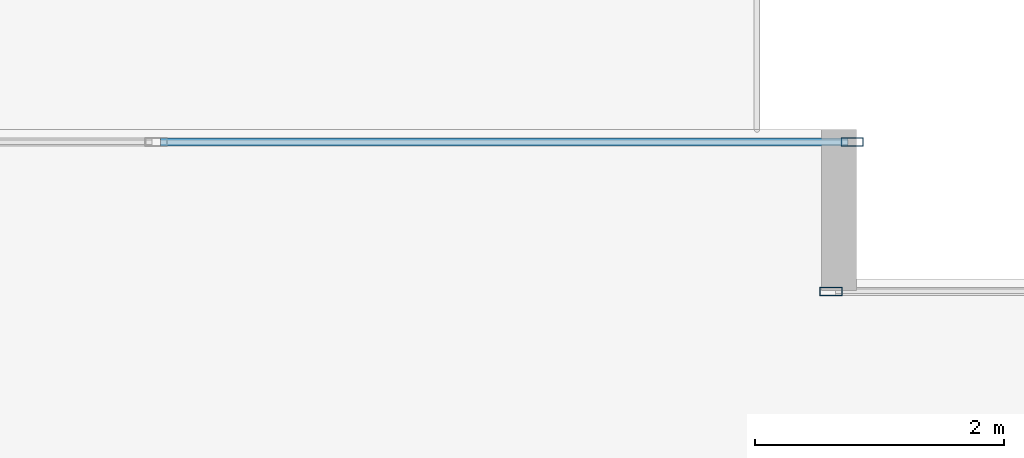
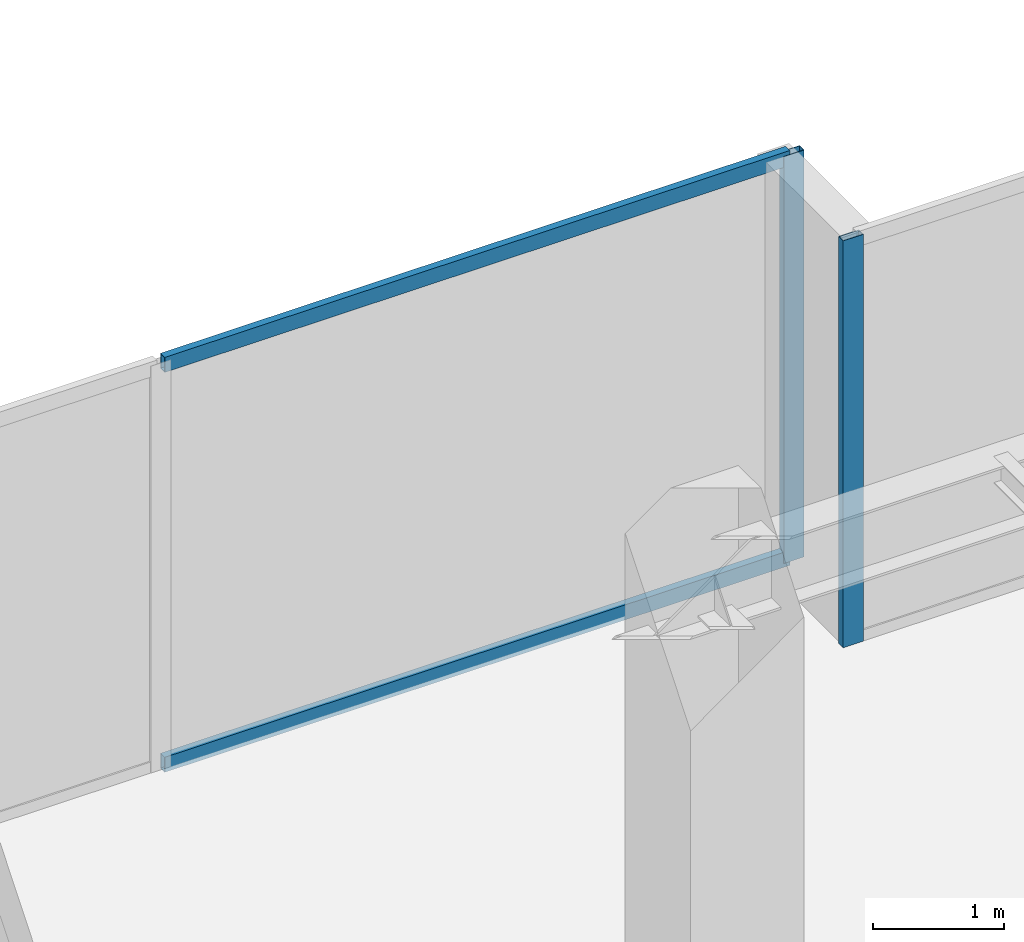
# One storey, part 17 of 34: 4 members, 2 elements without a shape of their own.
"""IFC4 building model written with IfcOpenShell, lengths in metres."""

import ifcopenshell
import ifcopenshell.guid

model = None  # the IFC model being written
_history = None  # IfcOwnerHistory: only IFC2X3 demands one
_inside = {}  # id of a spatial element -> (the spatial element, [elements in it])
_under = {}  # id of a project, library or spatial element -> (it, [spatial elements below it])
_declared = {}  # id of a project -> (the project, [libraries it declares])
_typed = {}  # id of a type object -> (the type object, [elements of that type])
_made_of = {}  # id of a material, layer set ... -> (it, [elements and type objects made of it])


def new_model(schema):
    """Start an empty IFC model of exactly this schema.

    Asked for "IFC4X3", IfcOpenShell would pick the latest addendum, in which some entities
    have other attributes; the version numbers below select the first issue.
    IFC2X3 requires an IfcOwnerHistory on every rooted entity: one is made here for all.
    """
    global model, _history
    if schema == "IFC4X3":
        model = ifcopenshell.file(schema_version=(4, 3, 0, 0))
    else:
        model = ifcopenshell.file(schema=schema)
    _inside.clear()
    _under.clear()
    _declared.clear()
    _typed.clear()
    _made_of.clear()
    _history = None
    if model.schema == "IFC2X3":
        org = make("IfcOrganization", Name="unknown")
        user = make(
            "IfcPersonAndOrganization",
            ThePerson=make("IfcPerson", FamilyName="unknown"),
            TheOrganization=org,
        )
        app = make(
            "IfcApplication",
            ApplicationDeveloper=org,
            Version="unknown",
            ApplicationFullName="unknown",
            ApplicationIdentifier="unknown",
        )
        _history = make(
            "IfcOwnerHistory",
            OwningUser=user,
            OwningApplication=app,
            ChangeAction="ADDED",
            CreationDate=0,
        )
    return model


def make(cls, **values):
    """One entity of the class cls with the attributes given. An attribute that is None is left unset."""
    return model.create_entity(
        cls, **{name: value for name, value in values.items() if value is not None}
    )


def rooted(cls, **values):
    """An entity with a GlobalId (a new one), such as an element, a storey or a relation."""
    return make(cls, GlobalId=ifcopenshell.guid.new(), OwnerHistory=_history, **values)


def si_unit(unit_type, name, prefix=None):
    """IfcSIUnit, for example si_unit("LENGTHUNIT", "METRE", prefix="MILLI")."""
    return make("IfcSIUnit", UnitType=unit_type, Prefix=prefix, Name=name)


def assignment(units):
    """IfcUnitAssignment: the units of a project."""
    return None if units is None else make("IfcUnitAssignment", Units=units)


def point(xyz):
    """IfcCartesianPoint."""
    return None if xyz is None else make("IfcCartesianPoint", Coordinates=xyz)


def direction(xyz):
    """IfcDirection."""
    return None if xyz is None else make("IfcDirection", DirectionRatios=xyz)


def frame(location, z_axis=None, x_axis=None):
    """IfcAxis2Placement3D, a coordinate frame: its origin and axes. An axis left out is left unset."""
    return make(
        "IfcAxis2Placement3D",
        Location=point(location),
        Axis=direction(z_axis),
        RefDirection=direction(x_axis),
    )


def frame_2d(location, x_axis=None):
    """IfcAxis2Placement2D, a coordinate frame in the plane: its origin and x axis."""
    return make(
        "IfcAxis2Placement2D", Location=point(location), RefDirection=direction(x_axis)
    )


def origin():
    """The frame at (0, 0, 0) with its axes left unset."""
    return frame((0.0, 0.0, 0.0))


def origin_2d():
    """The frame at (0, 0) in the plane with its x axis left unset."""
    return frame_2d((0.0, 0.0))


def place(relative_to, where):
    """IfcLocalPlacement: puts the frame where relative to a parent placement (None: the world)."""
    return make(
        "IfcLocalPlacement", PlacementRelTo=relative_to, RelativePlacement=where
    )


def context(
    kind, dimensions, precision=None, world=None, true_north=None, identifier=None
):
    """IfcGeometricRepresentationContext, for example the 3D "Model" context."""
    return make(
        "IfcGeometricRepresentationContext",
        ContextIdentifier=identifier,
        ContextType=kind,
        CoordinateSpaceDimension=dimensions,
        Precision=precision,
        WorldCoordinateSystem=world,
        TrueNorth=true_north,
    )


def subcontext(parent, identifier, kind, view, scale=None):
    """IfcGeometricRepresentationSubContext, for example "Body" below "Model"."""
    return make(
        "IfcGeometricRepresentationSubContext",
        ContextIdentifier=identifier,
        ContextType=kind,
        ParentContext=parent,
        TargetScale=scale,
        TargetView=view,
    )


def project(units=None, contexts=None):
    """IfcProject with its units and contexts."""
    return rooted(
        "IfcProject",
        Name="project",
        RepresentationContexts=contexts,
        UnitsInContext=assignment(units),
    )


def spatial(cls, under=None, at=None, **own):
    """A site, building, storey or space (cls), placed at a placement, below another one or the project."""
    s = rooted(cls, ObjectPlacement=at, **own)
    if under is not None:
        _under.setdefault(under.id(), (under, []))[1].append(s)
    return s


def profile(cls, at=None, kind="AREA", **sizes):
    """A parametric profile (cls). Its sizes go by their IFC names, for example OverallWidth=200.0."""
    return make(cls, ProfileType=kind, Position=at, **sizes)


def hollow_rectangle(**sizes):
    """IfcRectangleHollowProfileDef."""
    return profile("IfcRectangleHollowProfileDef", **sizes)


def extrude(swept, where, along, depth):
    """IfcExtrudedAreaSolid: the profile swept, set in the frame where, extruded along a direction by depth."""
    return make(
        "IfcExtrudedAreaSolid",
        SweptArea=swept,
        Position=where,
        ExtrudedDirection=direction(along),
        Depth=depth,
    )


def shape(context_of_items, identifier, shape_type, items):
    """IfcShapeRepresentation: the items that make up one representation, for example the "Body"."""
    return make(
        "IfcShapeRepresentation",
        ContextOfItems=context_of_items,
        RepresentationIdentifier=identifier,
        RepresentationType=shape_type,
        Items=items,
    )


def source(mapping_origin, context_of_items, identifier, shape_type, items):
    """IfcRepresentationMap: a shape defined once, which mapped items show again and again."""
    return make(
        "IfcRepresentationMap",
        MappingOrigin=mapping_origin,
        MappedRepresentation=shape(context_of_items, identifier, shape_type, items),
    )


def transform(
    local_origin,
    x_axis=None,
    y_axis=None,
    z_axis=None,
    scale=None,
    scale2=None,
    scale3=None,
    uniform=True,
):
    """IfcCartesianTransformationOperator3D, or its non-uniform kind. x_axis, y_axis, z_axis: its Axis1, 2, 3."""
    if uniform:
        return make(
            "IfcCartesianTransformationOperator3D",
            Axis1=direction(x_axis),
            Axis2=direction(y_axis),
            LocalOrigin=point(local_origin),
            Scale=scale,
            Axis3=direction(z_axis),
        )
    return make(
        "IfcCartesianTransformationOperator3DnonUniform",
        Axis1=direction(x_axis),
        Axis2=direction(y_axis),
        LocalOrigin=point(local_origin),
        Scale=scale,
        Axis3=direction(z_axis),
        Scale2=scale2,
        Scale3=scale3,
    )


def mapped(mapping_source, mapping_target):
    """IfcMappedItem: shows the shape of a source again, moved by a transform."""
    return make(
        "IfcMappedItem", MappingSource=mapping_source, MappingTarget=mapping_target
    )


def material(Name=None, Category=None):
    """IfcMaterial."""
    return make("IfcMaterial", Name=Name, Category=Category)


def layer(
    of_material, thickness, ventilated=None, Name=None, Category=None, Priority=None
):
    """IfcMaterialLayer: one layer of a wall or slab, of a material (None: an air gap)."""
    return make(
        "IfcMaterialLayer",
        Material=of_material,
        LayerThickness=thickness,
        IsVentilated=ventilated,
        Name=Name,
        Category=Category,
        Priority=Priority,
    )


def layer_set(layers, Name=None):
    """IfcMaterialLayerSet."""
    return make("IfcMaterialLayerSet", MaterialLayers=layers, LayerSetName=Name)


def material_profile(
    of_material, cross_section, Name=None, Category=None, Priority=None
):
    """IfcMaterialProfile: a cross section and its material."""
    return make(
        "IfcMaterialProfile",
        Name=Name,
        Material=of_material,
        Profile=cross_section,
        Priority=Priority,
        Category=Category,
    )


def profile_set(profiles, Name=None, composite=None):
    """IfcMaterialProfileSet."""
    return make(
        "IfcMaterialProfileSet",
        Name=Name,
        MaterialProfiles=profiles,
        CompositeProfile=composite,
    )


def made_of(thing, what):
    """Note that an element or type object is made of a material, layer set ...; save() writes the relation."""
    if what is not None:
        _made_of.setdefault(what.id(), (what, []))[1].append(thing)
    return thing


def type_object(cls, material=None, **own):
    """A type object (cls), such as IfcWallType, which elements share."""
    return made_of(rooted(cls, **own), material)


def type_shapes(of_type, sources):
    """Give a type object the sources (RepresentationMaps) that its elements show as mapped items."""
    of_type.RepresentationMaps = sources


def element(
    cls,
    number,
    at=None,
    inside=None,
    cuts=None,
    type_object=None,
    material=None,
    context=None,
    identifier="Body",
    shape_type=None,
    held_by="IfcProductDefinitionShape",
    body=None,
    shapes=None,
    **own,
):
    """One element of the class cls, such as IfcWall. Its Tag is "e" and its number.

    at: its placement. inside: the storey or other place that contains it. cuts: it is an
    opening in that element (IfcRelVoidsElement). A single representation is given by context,
    identifier, shape_type and body (its items); several are given by shapes. held_by: the class
    of the entity that holds the representations. save() writes the other relations.
    """
    e = rooted(cls, Tag="e%d" % number, ObjectPlacement=at, **own)
    if body is not None:
        shapes = [shape(context, identifier, shape_type, body)]
    if shapes is not None:
        e.Representation = make(held_by, Representations=shapes)
    if inside is not None:
        _inside.setdefault(inside.id(), (inside, []))[1].append(e)
    if cuts is not None:
        rooted(
            "IfcRelVoidsElement", RelatingBuildingElement=cuts, RelatedOpeningElement=e
        )
    if type_object is not None:
        _typed.setdefault(type_object.id(), (type_object, []))[1].append(e)
    return made_of(e, material)


def aggregate(whole, parts):
    """IfcRelAggregates: a whole, such as a stair, and the parts it consists of."""
    return rooted("IfcRelAggregates", RelatingObject=whole, RelatedObjects=parts)


def save(model, path):
    """Write the relations noted so far, then the file.

    IfcRelAggregates (storeys below a building ...), IfcRelContainedInSpatialStructure (elements
    in a storey), IfcRelDefinesByType, IfcRelAssociatesMaterial and IfcRelDeclares: one each for
    every whole, place, type object, material and project.
    """
    for whole, parts in _under.values():
        aggregate(whole, parts)
    for where, things in _inside.values():
        rooted(
            "IfcRelContainedInSpatialStructure",
            RelatedElements=things,
            RelatingStructure=where,
        )
    for kind, things in _typed.values():
        rooted("IfcRelDefinesByType", RelatedObjects=things, RelatingType=kind)
    for what, things in _made_of.values():
        rooted("IfcRelAssociatesMaterial", RelatedObjects=things, RelatingMaterial=what)
    for by, libraries in _declared.values():
        rooted("IfcRelDeclares", RelatingContext=by, RelatedDefinitions=libraries)
    model.write(path)


model = new_model("IFC4")

# Units and contexts
model_context = context("Model", 3, precision=1e-05, world=origin(), true_north=direction((0.0, 1.0)))
body_context = subcontext(model_context, "Body", "Model", "MODEL_VIEW")
ifc_project = project(units=[si_unit("LENGTHUNIT", "METRE"), si_unit("AREAUNIT", "SQUARE_METRE"), si_unit("VOLUMEUNIT", "CUBIC_METRE"), si_unit("PLANEANGLEUNIT", "RADIAN"), si_unit("MASSUNIT", "GRAM", prefix="KILO")], contexts=[model_context])

# Site, building, storey
site_placement = place(None, origin())
site = spatial("IfcSite", under=ifc_project, at=site_placement, CompositionType="ELEMENT")
building_placement = place(site_placement, origin())
building = spatial("IfcBuilding", under=site, at=building_placement, Name="Haelvirn Gate Laboratories", CompositionType="ELEMENT")
storey_placement = place(building_placement, frame((0.0, 0.0, 246.5)))
storey = spatial("IfcBuildingStorey", under=building, at=storey_placement, Name="L59", CompositionType="ELEMENT", Elevation=246.5)

# Curtain wall, member
ifc_material_1 = material(Name="Anodised bronze unitised aluminium & triple low-E glass", Category="aluminium")
ifc_layer = layer(ifc_material_1, 0.176025390625, Name="CW-SYS-4")
ifc_layer_set = layer_set([ifc_layer], Name="Anodised bronze unitised aluminium & triple low-E glass")
curtain_wall_type = type_object("IfcCurtainWallType", Name="CW-SYS-4", PredefinedType="NOTDEFINED", material=ifc_layer_set)
curtain_wall_1_placement = place(storey_placement, origin())
curtain_wall_1 = element("IfcCurtainWall", 1, at=curtain_wall_1_placement, inside=storey, type_object=curtain_wall_type, Name="L59 Unitised Curtain Wall CW-L59-P0-E12-1", PredefinedType="NOTDEFINED")
ifc_material_2 = material(Name="Extruded aluminium 6063-T6 (anodised bronze)", Category="aluminium")
ifc_material_profile_1 = material_profile(ifc_material_2, hollow_rectangle(XDim=0.070068359375, YDim=0.179931640625, WallThickness=0.0048828125, at=origin_2d()), Name="CWM-180x70x5")
ifc_profile_set_1 = profile_set([ifc_material_profile_1], Name="Extruded aluminium 6063-T6 (anodised bronze)")
member_type_1 = type_object("IfcMemberType", Name="CWM-T180", PredefinedType="MULLION", material=ifc_profile_set_1)
shared_shape_1 = source(origin(), body_context, "Body", "SweptSolid", [
    extrude(hollow_rectangle(XDim=0.070068359375, YDim=0.179931640625, WallThickness=0.0048828125, at=origin_2d()), origin(), (0.0, 0.0, 1.0), 3.800048828125),
])
type_shapes(member_type_1, [shared_shape_1])
member_1_placement = place(storey_placement, frame((25.195068359375, 44.699951171875, 0.0), z_axis=(0.0, 0.0, 1.0), x_axis=(0.0, 1.0, 0.0)))
member_1 = element("IfcMember", 2, at=member_1_placement, type_object=member_type_1, Name="CW4 mullion 1", PredefinedType="MULLION", context=body_context, shape_type="MappedRepresentation", body=[
    mapped(shared_shape_1, transform((0.0, 0.0, 0.0), scale=1.0)),
])
aggregate(curtain_wall_1, [member_1])

# Curtain wall, members
curtain_wall_2_placement = place(storey_placement, origin())
curtain_wall_2 = element("IfcCurtainWall", 3, at=curtain_wall_2_placement, inside=storey, type_object=curtain_wall_type, Name="L59 Unitised Curtain Wall CW-L59-P0-E14-2", PredefinedType="NOTDEFINED")
member_2_placement = place(storey_placement, frame((25.364990234375, 45.89990234375, 0.0), z_axis=(0.0, 0.0, 1.0), x_axis=(0.0, 1.0, 0.0)))
member_2 = element("IfcMember", 4, at=member_2_placement, type_object=member_type_1, Name="CW4 mullion 3", PredefinedType="MULLION", context=body_context, shape_type="MappedRepresentation", body=[
    mapped(shared_shape_1, transform((0.0, 0.0, 0.0), scale=1.0)),
])
ifc_material_profile_2 = material_profile(ifc_material_2, hollow_rectangle(XDim=0.06494140625, YDim=0.139892578125, WallThickness=0.00390625, at=origin_2d()), Name="CWT-140x65x4")
ifc_profile_set_2 = profile_set([ifc_material_profile_2], Name="Extruded aluminium 6063-T6 (anodised bronze)")
member_type_2 = type_object("IfcMemberType", Name="CWT-T140", PredefinedType="USERDEFINED", material=ifc_profile_set_2)
shared_shape_2 = source(origin(), body_context, "Body", "SweptSolid", [
    extrude(hollow_rectangle(XDim=0.06494140625, YDim=0.139892578125, WallThickness=0.00390625, at=origin_2d()), origin(), (0.0, 0.0, 1.0), 5.5224609375),
])
type_shapes(member_type_2, [shared_shape_2])
member_3_placement = place(storey_placement, frame((19.8076171875, 45.89990234375, 0.032470703125), z_axis=(1.0, 0.0, 0.0), x_axis=(0.0, 1.0, 0.0)))
member_3 = element("IfcMember", 5, at=member_3_placement, type_object=member_type_2, Name="CW4 transom 2.1", ObjectType="TRANSOM", PredefinedType="USERDEFINED", context=body_context, shape_type="MappedRepresentation", body=[
    mapped(shared_shape_2, transform((0.0, 0.0, 0.0), scale=1.0)),
])
member_4_placement = place(storey_placement, frame((19.8076171875, 45.89990234375, 3.767578125), z_axis=(1.0, 0.0, 0.0), x_axis=(0.0, 1.0, 0.0)))
member_4 = element("IfcMember", 6, at=member_4_placement, type_object=member_type_2, Name="CW4 transom 2.2", ObjectType="TRANSOM", PredefinedType="USERDEFINED", context=body_context, shape_type="MappedRepresentation", body=[
    mapped(shared_shape_2, transform((0.0, 0.0, 0.0), scale=1.0)),
])
aggregate(curtain_wall_2, [member_2, member_3, member_4])

save(model, "model.ifc")
